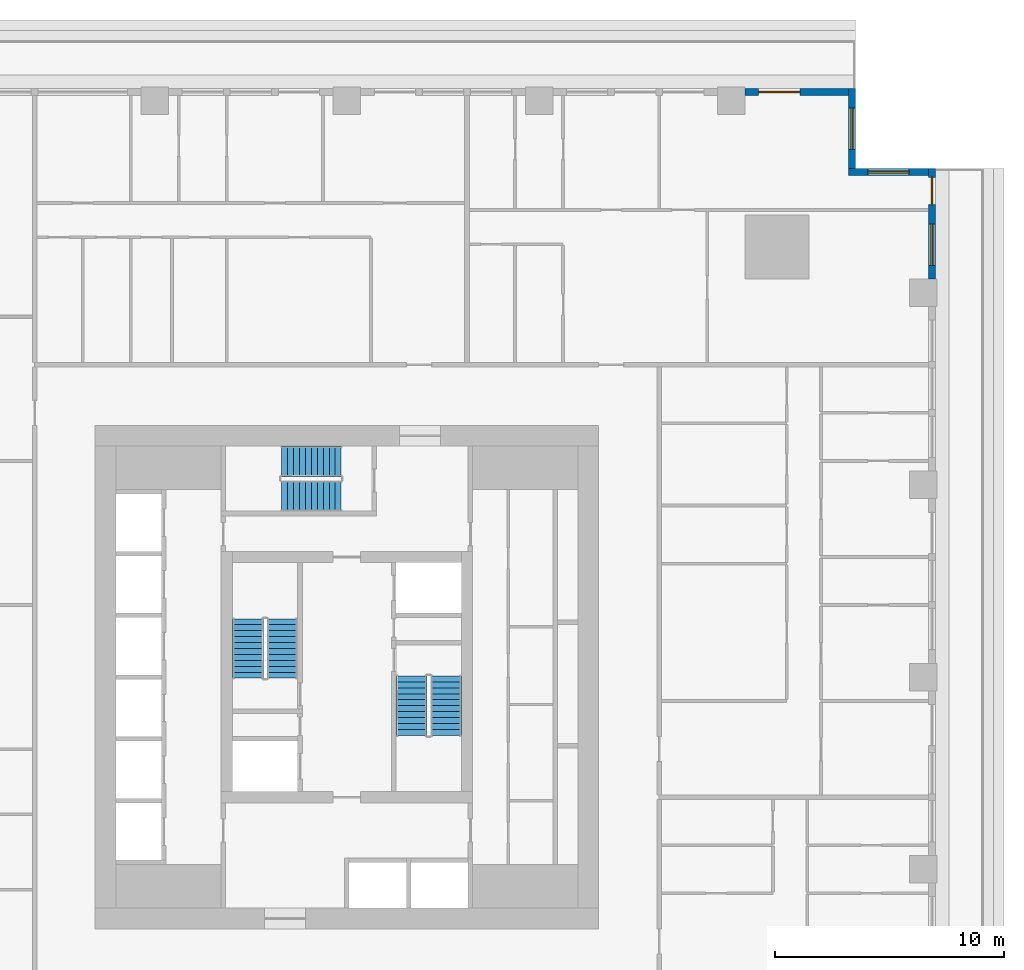
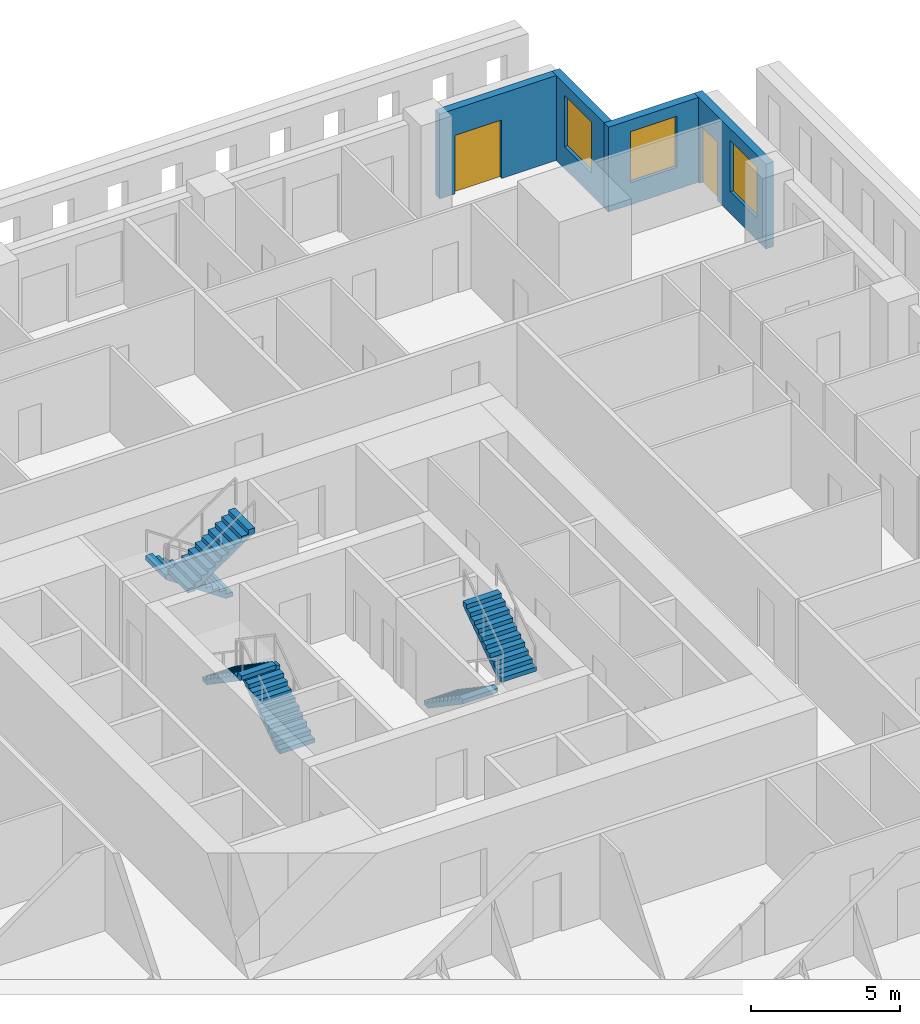
# One storey, part 10 of 15: 6 stair flights, 4 walls, 3 windows, 2 doors, 5 openings, 3 elements without a shape of their own.
"""IFC4 building model written with IfcOpenShell, lengths in metres."""

import ifcopenshell
import ifcopenshell.guid

model = None  # the IFC model being written
_history = None  # IfcOwnerHistory: only IFC2X3 demands one
_inside = {}  # id of a spatial element -> (the spatial element, [elements in it])
_under = {}  # id of a project, library or spatial element -> (it, [spatial elements below it])
_declared = {}  # id of a project -> (the project, [libraries it declares])
_typed = {}  # id of a type object -> (the type object, [elements of that type])
_made_of = {}  # id of a material, layer set ... -> (it, [elements and type objects made of it])


def new_model(schema):
    """Start an empty IFC model of exactly this schema.

    Asked for "IFC4X3", IfcOpenShell would pick the latest addendum, in which some entities
    have other attributes; the version numbers below select the first issue.
    IFC2X3 requires an IfcOwnerHistory on every rooted entity: one is made here for all.
    """
    global model, _history
    if schema == "IFC4X3":
        model = ifcopenshell.file(schema_version=(4, 3, 0, 0))
    else:
        model = ifcopenshell.file(schema=schema)
    _inside.clear()
    _under.clear()
    _declared.clear()
    _typed.clear()
    _made_of.clear()
    _history = None
    if model.schema == "IFC2X3":
        org = make("IfcOrganization", Name="unknown")
        user = make(
            "IfcPersonAndOrganization",
            ThePerson=make("IfcPerson", FamilyName="unknown"),
            TheOrganization=org,
        )
        app = make(
            "IfcApplication",
            ApplicationDeveloper=org,
            Version="unknown",
            ApplicationFullName="unknown",
            ApplicationIdentifier="unknown",
        )
        _history = make(
            "IfcOwnerHistory",
            OwningUser=user,
            OwningApplication=app,
            ChangeAction="ADDED",
            CreationDate=0,
        )
    return model


def make(cls, **values):
    """One entity of the class cls with the attributes given. An attribute that is None is left unset."""
    return model.create_entity(
        cls, **{name: value for name, value in values.items() if value is not None}
    )


def rooted(cls, **values):
    """An entity with a GlobalId (a new one), such as an element, a storey or a relation."""
    return make(cls, GlobalId=ifcopenshell.guid.new(), OwnerHistory=_history, **values)


def si_unit(unit_type, name, prefix=None):
    """IfcSIUnit, for example si_unit("LENGTHUNIT", "METRE", prefix="MILLI")."""
    return make("IfcSIUnit", UnitType=unit_type, Prefix=prefix, Name=name)


def assignment(units):
    """IfcUnitAssignment: the units of a project."""
    return None if units is None else make("IfcUnitAssignment", Units=units)


def point(xyz):
    """IfcCartesianPoint."""
    return None if xyz is None else make("IfcCartesianPoint", Coordinates=xyz)


def direction(xyz):
    """IfcDirection."""
    return None if xyz is None else make("IfcDirection", DirectionRatios=xyz)


def frame(location, z_axis=None, x_axis=None):
    """IfcAxis2Placement3D, a coordinate frame: its origin and axes. An axis left out is left unset."""
    return make(
        "IfcAxis2Placement3D",
        Location=point(location),
        Axis=direction(z_axis),
        RefDirection=direction(x_axis),
    )


def frame_2d(location, x_axis=None):
    """IfcAxis2Placement2D, a coordinate frame in the plane: its origin and x axis."""
    return make(
        "IfcAxis2Placement2D", Location=point(location), RefDirection=direction(x_axis)
    )


def origin():
    """The frame at (0, 0, 0) with its axes left unset."""
    return frame((0.0, 0.0, 0.0))


def place(relative_to, where):
    """IfcLocalPlacement: puts the frame where relative to a parent placement (None: the world)."""
    return make(
        "IfcLocalPlacement", PlacementRelTo=relative_to, RelativePlacement=where
    )


def context(
    kind, dimensions, precision=None, world=None, true_north=None, identifier=None
):
    """IfcGeometricRepresentationContext, for example the 3D "Model" context."""
    return make(
        "IfcGeometricRepresentationContext",
        ContextIdentifier=identifier,
        ContextType=kind,
        CoordinateSpaceDimension=dimensions,
        Precision=precision,
        WorldCoordinateSystem=world,
        TrueNorth=true_north,
    )


def subcontext(parent, identifier, kind, view, scale=None):
    """IfcGeometricRepresentationSubContext, for example "Body" below "Model"."""
    return make(
        "IfcGeometricRepresentationSubContext",
        ContextIdentifier=identifier,
        ContextType=kind,
        ParentContext=parent,
        TargetScale=scale,
        TargetView=view,
    )


def project(units=None, contexts=None):
    """IfcProject with its units and contexts."""
    return rooted(
        "IfcProject",
        Name="project",
        RepresentationContexts=contexts,
        UnitsInContext=assignment(units),
    )


def spatial(cls, under=None, at=None, **own):
    """A site, building, storey or space (cls), placed at a placement, below another one or the project."""
    s = rooted(cls, ObjectPlacement=at, **own)
    if under is not None:
        _under.setdefault(under.id(), (under, []))[1].append(s)
    return s


def polyline(points):
    """IfcPolyline through the points."""
    return make("IfcPolyline", Points=[point(p) for p in points])


def profile(cls, at=None, kind="AREA", **sizes):
    """A parametric profile (cls). Its sizes go by their IFC names, for example OverallWidth=200.0."""
    return make(cls, ProfileType=kind, Position=at, **sizes)


def rectangle(**sizes):
    """IfcRectangleProfileDef."""
    return profile("IfcRectangleProfileDef", **sizes)


def outline(outer, holes=None, kind="AREA"):
    """IfcArbitraryClosedProfileDef: a profile drawn as a closed curve; with holes, ...WithVoids."""
    if holes is None:
        return make("IfcArbitraryClosedProfileDef", ProfileType=kind, OuterCurve=outer)
    return make(
        "IfcArbitraryProfileDefWithVoids",
        ProfileType=kind,
        OuterCurve=outer,
        InnerCurves=holes,
    )


def extrude(swept, where, along, depth):
    """IfcExtrudedAreaSolid: the profile swept, set in the frame where, extruded along a direction by depth."""
    return make(
        "IfcExtrudedAreaSolid",
        SweptArea=swept,
        Position=where,
        ExtrudedDirection=direction(along),
        Depth=depth,
    )


def shape(context_of_items, identifier, shape_type, items):
    """IfcShapeRepresentation: the items that make up one representation, for example the "Body"."""
    return make(
        "IfcShapeRepresentation",
        ContextOfItems=context_of_items,
        RepresentationIdentifier=identifier,
        RepresentationType=shape_type,
        Items=items,
    )


def material(Name=None, Category=None):
    """IfcMaterial."""
    return make("IfcMaterial", Name=Name, Category=Category)


def layer(
    of_material, thickness, ventilated=None, Name=None, Category=None, Priority=None
):
    """IfcMaterialLayer: one layer of a wall or slab, of a material (None: an air gap)."""
    return make(
        "IfcMaterialLayer",
        Material=of_material,
        LayerThickness=thickness,
        IsVentilated=ventilated,
        Name=Name,
        Category=Category,
        Priority=Priority,
    )


def layer_set(layers, Name=None):
    """IfcMaterialLayerSet."""
    return make("IfcMaterialLayerSet", MaterialLayers=layers, LayerSetName=Name)


def made_of(thing, what):
    """Note that an element or type object is made of a material, layer set ...; save() writes the relation."""
    if what is not None:
        _made_of.setdefault(what.id(), (what, []))[1].append(thing)
    return thing


def type_object(cls, material=None, **own):
    """A type object (cls), such as IfcWallType, which elements share."""
    return made_of(rooted(cls, **own), material)


def element(
    cls,
    number,
    at=None,
    inside=None,
    cuts=None,
    type_object=None,
    material=None,
    context=None,
    identifier="Body",
    shape_type=None,
    held_by="IfcProductDefinitionShape",
    body=None,
    shapes=None,
    **own,
):
    """One element of the class cls, such as IfcWall. Its Tag is "e" and its number.

    at: its placement. inside: the storey or other place that contains it. cuts: it is an
    opening in that element (IfcRelVoidsElement). A single representation is given by context,
    identifier, shape_type and body (its items); several are given by shapes. held_by: the class
    of the entity that holds the representations. save() writes the other relations.
    """
    e = rooted(cls, Tag="e%d" % number, ObjectPlacement=at, **own)
    if body is not None:
        shapes = [shape(context, identifier, shape_type, body)]
    if shapes is not None:
        e.Representation = make(held_by, Representations=shapes)
    if inside is not None:
        _inside.setdefault(inside.id(), (inside, []))[1].append(e)
    if cuts is not None:
        rooted(
            "IfcRelVoidsElement", RelatingBuildingElement=cuts, RelatedOpeningElement=e
        )
    if type_object is not None:
        _typed.setdefault(type_object.id(), (type_object, []))[1].append(e)
    return made_of(e, material)


def fill(opening, filler):
    """IfcRelFillsElement: the door or window that sits in an opening."""
    return rooted(
        "IfcRelFillsElement",
        RelatingOpeningElement=opening,
        RelatedBuildingElement=filler,
    )


def aggregate(whole, parts):
    """IfcRelAggregates: a whole, such as a stair, and the parts it consists of."""
    return rooted("IfcRelAggregates", RelatingObject=whole, RelatedObjects=parts)


def save(model, path):
    """Write the relations noted so far, then the file.

    IfcRelAggregates (storeys below a building ...), IfcRelContainedInSpatialStructure (elements
    in a storey), IfcRelDefinesByType, IfcRelAssociatesMaterial and IfcRelDeclares: one each for
    every whole, place, type object, material and project.
    """
    for whole, parts in _under.values():
        aggregate(whole, parts)
    for where, things in _inside.values():
        rooted(
            "IfcRelContainedInSpatialStructure",
            RelatedElements=things,
            RelatingStructure=where,
        )
    for kind, things in _typed.values():
        rooted("IfcRelDefinesByType", RelatedObjects=things, RelatingType=kind)
    for what, things in _made_of.values():
        rooted("IfcRelAssociatesMaterial", RelatedObjects=things, RelatingMaterial=what)
    for by, libraries in _declared.values():
        rooted("IfcRelDeclares", RelatingContext=by, RelatedDefinitions=libraries)
    model.write(path)


model = new_model("IFC4")

# Units and contexts
model_context = context("Model", 3, precision=1e-05, world=origin(), true_north=direction((0.0, 1.0)))
body_context = subcontext(model_context, "Body", "Model", "MODEL_VIEW")
ifc_project = project(units=[si_unit("LENGTHUNIT", "METRE"), si_unit("AREAUNIT", "SQUARE_METRE"), si_unit("VOLUMEUNIT", "CUBIC_METRE"), si_unit("PLANEANGLEUNIT", "RADIAN"), si_unit("MASSUNIT", "GRAM", prefix="KILO")], contexts=[model_context])

# Site, building, storey
site_placement = place(None, origin())
site = spatial("IfcSite", under=ifc_project, at=site_placement, CompositionType="ELEMENT")
building_placement = place(site_placement, origin())
building = spatial("IfcBuilding", under=site, at=building_placement, Name="Khepri Terraces", CompositionType="ELEMENT")
storey_placement = place(building_placement, frame((0.0, 0.0, 94.800048828125)))
storey = spatial("IfcBuildingStorey", under=building, at=storey_placement, Name="L22", CompositionType="ELEMENT", Elevation=94.800048828125)

# Wall, openings, door, window
ifc_material_1 = material(Name="Precast concrete C50/60 warm stone", Category="masonry")
ifc_layer = layer(ifc_material_1, 0.300048828125, Name="Precast concrete C50/60 warm stone", Category="masonry")
ifc_layer_set = layer_set([ifc_layer], Name="Precast concrete C50/60 warm stone")
wall_type = type_object("IfcWallType", Name="WL-EXT-PRECAST-300", PredefinedType="STANDARD", material=ifc_layer_set)
wall_1_placement = place(storey_placement, frame((25.570068359375, 17.39990234375, 0.0), z_axis=(0.0, 0.0, 1.0), x_axis=(0.0, 1.0, 0.0)))
wall_1 = element("IfcWall", 1, at=wall_1_placement, inside=storey, type_object=wall_type, Name="External wall L22 E", PredefinedType="STANDARD", context=body_context, shape_type="SweptSolid", body=[
    extrude(rectangle(XDim=4.820068359375, YDim=0.300048828125, at=frame_2d((2.41015625, 0.0))), origin(), (0.0, 0.0, 1.0), 3.47998046875),
])
opening_1_placement = place(wall_1_placement, frame((0.60009765625, 0.0, 0.89990234375)))
opening_1 = element("IfcOpeningElement", 2, at=opening_1_placement, cuts=wall_1, Name="Opening W1", PredefinedType="OPENING", context=body_context, shape_type="SweptSolid", body=[
    extrude(rectangle(XDim=1.800048828125, YDim=2.10009765625, at=frame_2d((0.89990234375, 1.050048828125))), frame((0.0, 0.16015625, 0.0), z_axis=(0.0, -1.0, 0.0), x_axis=(1.0, 0.0, 0.0)), (0.0, 0.0, 1.0), 0.320068359375),
])
opening_2_placement = place(wall_1_placement, frame((3.2451171875, 0.0, 0.0)))
opening_2 = element("IfcOpeningElement", 3, at=opening_2_placement, cuts=wall_1, Name="Opening ED-L22-06", PredefinedType="OPENING", context=body_context, shape_type="SweptSolid", body=[
    extrude(rectangle(XDim=1.199951171875, YDim=2.39990234375, at=frame_2d((0.60009765625, 1.199951171875))), frame((0.0, 0.16015625, 0.0), z_axis=(0.0, -1.0, 0.0), x_axis=(1.0, 0.0, 0.0)), (0.0, 0.0, 1.0), 0.320068359375),
])
ifc_material_2 = material(Name="Anodised aluminium bronze glazed door", Category="aluminium")
door_type_1 = type_object("IfcDoorType", Name="DR-BAL-SLIDE-1200x2400", OperationType="NOTDEFINED", PredefinedType="DOOR", material=ifc_material_2)
door_1_placement = place(opening_2_placement, origin())
door_1 = element("IfcDoor", 4, at=door_1_placement, inside=storey, type_object=door_type_1, Name="Balcony door L22 E", OperationType="SLIDING_TO_RIGHT", OverallHeight=2.39990234375, OverallWidth=1.199951171875, PredefinedType="DOOR", context=body_context, shape_type="SweptSolid", body=[
    extrude(rectangle(XDim=1.199951171875, YDim=2.39990234375, at=frame_2d((0.60009765625, 1.199951171875))), frame((0.0, 0.02490234375, 0.0), z_axis=(0.0, -1.0, 0.0), x_axis=(1.0, 0.0, 0.0)), (0.0, 0.0, 1.0), 0.050048828125),
])
fill(opening_2, door_1)
ifc_material_3 = material(Name="Clear glass", Category="glass")
window_type = type_object("IfcWindowType", Name="WIN-RES-1800x2100", PartitioningType="SINGLE_PANEL", PredefinedType="WINDOW", material=ifc_material_3)
window_1_placement = place(opening_1_placement, origin())
window_1 = element("IfcWindow", 5, at=window_1_placement, inside=storey, type_object=window_type, Name="Window L22 E", OverallHeight=2.10009765625, OverallWidth=1.800048828125, PartitioningType="SINGLE_PANEL", PredefinedType="WINDOW", context=body_context, shape_type="SweptSolid", body=[
    extrude(rectangle(XDim=1.800048828125, YDim=2.10009765625, at=frame_2d((0.89990234375, 1.050048828125))), frame((0.0, 0.030029296875, 0.0), z_axis=(0.0, -1.0, 0.0), x_axis=(1.0, 0.0, 0.0)), (0.0, 0.0, 1.0), 0.06005859375),
])
fill(opening_1, window_1)

# Wall, opening, window
wall_2_placement = place(storey_placement, frame((25.419921875, 22.070068359375, 0.0), z_axis=(0.0, 0.0, 1.0), x_axis=(-1.0, 0.0, 0.0)))
wall_2 = element("IfcWall", 6, at=wall_2_placement, inside=storey, type_object=wall_type, Name="External wall L22 N", PredefinedType="STANDARD", context=body_context, shape_type="SweptSolid", body=[
    extrude(rectangle(XDim=3.5, YDim=0.300048828125, at=frame_2d((1.75, 0.0))), origin(), (0.0, 0.0, 1.0), 3.47998046875),
])
opening_3_placement = place(wall_2_placement, frame((0.85009765625, 0.0, 0.89990234375)))
opening_3 = element("IfcOpeningElement", 7, at=opening_3_placement, cuts=wall_2, Name="Opening W1", PredefinedType="OPENING", context=body_context, shape_type="SweptSolid", body=[
    extrude(rectangle(XDim=1.800048828125, YDim=2.10009765625, at=frame_2d((0.89990234375, 1.050048828125))), frame((0.0, 0.16015625, 0.0), z_axis=(0.0, -1.0, 0.0), x_axis=(1.0, 0.0, 0.0)), (0.0, 0.0, 1.0), 0.320068359375),
])
window_2_placement = place(opening_3_placement, origin())
window_2 = element("IfcWindow", 8, at=window_2_placement, inside=storey, type_object=window_type, Name="Window L22 N", OverallHeight=2.10009765625, OverallWidth=1.800048828125, PartitioningType="SINGLE_PANEL", PredefinedType="WINDOW", context=body_context, shape_type="SweptSolid", body=[
    extrude(rectangle(XDim=1.800048828125, YDim=2.10009765625, at=frame_2d((0.89990234375, 1.050048828125))), frame((0.0, 0.030029296875, 0.0), z_axis=(0.0, -1.0, 0.0), x_axis=(1.0, 0.0, 0.0)), (0.0, 0.0, 1.0), 0.06005859375),
])
fill(opening_3, window_2)

wall_3_placement = place(storey_placement, frame((22.070068359375, 22.219970703125, 0.0), z_axis=(0.0, 0.0, 1.0), x_axis=(0.0, 1.0, 0.0)))
wall_3 = element("IfcWall", 9, at=wall_3_placement, inside=storey, type_object=wall_type, Name="External wall L22 E", PredefinedType="STANDARD", context=body_context, shape_type="SweptSolid", body=[
    extrude(rectangle(XDim=3.5, YDim=0.300048828125, at=frame_2d((1.75, 0.0))), origin(), (0.0, 0.0, 1.0), 3.47998046875),
])
opening_4_placement = place(wall_3_placement, frame((0.85009765625, 0.0, 0.89990234375)))
opening_4 = element("IfcOpeningElement", 10, at=opening_4_placement, cuts=wall_3, Name="Opening W1", PredefinedType="OPENING", context=body_context, shape_type="SweptSolid", body=[
    extrude(rectangle(XDim=1.800048828125, YDim=2.10009765625, at=frame_2d((0.89990234375, 1.050048828125))), frame((0.0, 0.16015625, 0.0), z_axis=(0.0, -1.0, 0.0), x_axis=(1.0, 0.0, 0.0)), (0.0, 0.0, 1.0), 0.320068359375),
])
window_3_placement = place(opening_4_placement, origin())
window_3 = element("IfcWindow", 11, at=window_3_placement, inside=storey, type_object=window_type, Name="Window L22 E", OverallHeight=2.10009765625, OverallWidth=1.800048828125, PartitioningType="SINGLE_PANEL", PredefinedType="WINDOW", context=body_context, shape_type="SweptSolid", body=[
    extrude(rectangle(XDim=1.800048828125, YDim=2.10009765625, at=frame_2d((0.89990234375, 1.050048828125))), frame((0.0, 0.030029296875, 0.0), z_axis=(0.0, -1.0, 0.0), x_axis=(1.0, 0.0, 0.0)), (0.0, 0.0, 1.0), 0.06005859375),
])
fill(opening_4, window_3)

# Wall, opening, door
wall_4_placement = place(storey_placement, frame((21.919921875, 25.570068359375, 0.0), z_axis=(0.0, 0.0, 1.0), x_axis=(-1.0, 0.0, 0.0)))
wall_4 = element("IfcWall", 12, at=wall_4_placement, inside=storey, type_object=wall_type, Name="External wall L22 N", PredefinedType="STANDARD", context=body_context, shape_type="SweptSolid", body=[
    extrude(rectangle(XDim=4.52001953125, YDim=0.300048828125, at=frame_2d((2.260009765625, 0.0))), origin(), (0.0, 0.0, 1.0), 3.47998046875),
])
opening_5_placement = place(wall_4_placement, frame((2.1201171875, 0.0, 0.0)))
opening_5 = element("IfcOpeningElement", 13, at=opening_5_placement, cuts=wall_4, Name="Opening ED-L22-07", PredefinedType="OPENING", context=body_context, shape_type="SweptSolid", body=[
    extrude(rectangle(XDim=1.800048828125, YDim=2.39990234375, at=frame_2d((0.89990234375, 1.199951171875))), frame((0.0, 0.16015625, 0.0), z_axis=(0.0, -1.0, 0.0), x_axis=(1.0, 0.0, 0.0)), (0.0, 0.0, 1.0), 0.320068359375),
])
door_type_2 = type_object("IfcDoorType", Name="DR-BAL-SLIDE-1800x2400", OperationType="NOTDEFINED", PredefinedType="DOOR", material=ifc_material_2)
door_2_placement = place(opening_5_placement, origin())
door_2 = element("IfcDoor", 14, at=door_2_placement, inside=storey, type_object=door_type_2, Name="Balcony door L22 N", OperationType="SLIDING_TO_RIGHT", OverallHeight=2.39990234375, OverallWidth=1.800048828125, PredefinedType="DOOR", context=body_context, shape_type="SweptSolid", body=[
    extrude(rectangle(XDim=1.800048828125, YDim=2.39990234375, at=frame_2d((0.89990234375, 1.199951171875))), frame((0.0, 0.02490234375, 0.0), z_axis=(0.0, -1.0, 0.0), x_axis=(1.0, 0.0, 0.0)), (0.0, 0.0, 1.0), 0.050048828125),
])
fill(opening_5, door_2)

# Stair, stair flights
ifc_material_4 = material(Name="Concrete C40/50", Category="concrete")
stair_type = type_object("IfcStairType", Name="STAIR-RC-22R", PredefinedType="HALF_TURN_STAIR", material=ifc_material_4)
stair_1_placement = place(storey_placement, origin())
stair_1 = element("IfcStair", 15, at=stair_1_placement, inside=storey, type_object=stair_type, Name="L22 Exit Stair ST-1", PredefinedType="HALF_TURN_STAIR")
stair_flight_type = type_object("IfcStairFlightType", Name="SFL-RC-177.3", PredefinedType="STRAIGHT", material=ifc_material_4)
stair_flight_1_placement = place(storey_placement, frame((-2.824951171875, -0.050048828125, 0.0), z_axis=(0.0, 0.0, 1.0), x_axis=(0.0, 1.0, 0.0)))
stair_flight_1 = element("IfcStairFlight", 16, at=stair_flight_1_placement, type_object=stair_flight_type, Name="ST-1 flight 1", NumberOfRisers=11, NumberOfTreads=10, PredefinedType="STRAIGHT", RiserHeight=0.177272727, TreadLength=0.26, context=body_context, shape_type="SweptSolid", body=[
    extrude(outline(polyline([(0.0, 0.0), (0.0, 0.17724609375), (0.260009765625, 0.17724609375), (0.260009765625, 0.3544921875), (0.52001953125, 0.3544921875), (0.52001953125, 0.53173828125), (0.780029296875, 0.53173828125), (0.780029296875, 0.708984375), (1.0400390625, 0.708984375), (1.0400390625, 0.886474609375), (1.300048828125, 0.886474609375), (1.300048828125, 1.063720703125), (1.56005859375, 1.063720703125), (1.56005859375, 1.240966796875), (1.820068359375, 1.240966796875), (1.820068359375, 1.418212890625), (2.080078125, 1.418212890625), (2.080078125, 1.595458984375), (2.340087890625, 1.595458984375), (2.340087890625, 1.772705078125), (2.60009765625, 1.772705078125), (2.60009765625, 1.949951171875), (2.60009765625, 1.59130859375), (0.26611328125, 0.0), (0.0, 0.0)])), frame((0.0, 0.675048828125, 0.0), z_axis=(0.0, -1.0, 0.0), x_axis=(1.0, 0.0, 0.0)), (0.0, 0.0, 1.0), 1.35009765625),
])
stair_flight_2_placement = place(storey_placement, frame((-4.324951171875, 2.550048828125, 1.949951171875), z_axis=(0.0, 0.0, 1.0), x_axis=(0.0, -1.0, 0.0)))
stair_flight_2 = element("IfcStairFlight", 17, at=stair_flight_2_placement, type_object=stair_flight_type, Name="ST-1 flight 2", NumberOfRisers=11, NumberOfTreads=10, PredefinedType="STRAIGHT", RiserHeight=0.177272727, TreadLength=0.26, context=body_context, shape_type="SweptSolid", body=[
    extrude(outline(polyline([(0.0, 0.0), (0.0, 0.17724609375), (0.260009765625, 0.17724609375), (0.260009765625, 0.3544921875), (0.52001953125, 0.3544921875), (0.52001953125, 0.53173828125), (0.780029296875, 0.53173828125), (0.780029296875, 0.708984375), (1.0400390625, 0.708984375), (1.0400390625, 0.886474609375), (1.300048828125, 0.886474609375), (1.300048828125, 1.063720703125), (1.56005859375, 1.063720703125), (1.56005859375, 1.240966796875), (1.820068359375, 1.240966796875), (1.820068359375, 1.418212890625), (2.080078125, 1.418212890625), (2.080078125, 1.595458984375), (2.340087890625, 1.595458984375), (2.340087890625, 1.772705078125), (2.60009765625, 1.772705078125), (2.60009765625, 1.949951171875), (2.60009765625, 1.59130859375), (0.26611328125, 0.0), (0.0, 0.0)])), frame((0.0, 0.675048828125, 0.0), z_axis=(0.0, -1.0, 0.0), x_axis=(1.0, 0.0, 0.0)), (0.0, 0.0, 1.0), 1.35009765625),
])
aggregate(stair_1, [stair_flight_1, stair_flight_2])

stair_2_placement = place(storey_placement, origin())
stair_2 = element("IfcStair", 18, at=stair_2_placement, inside=storey, type_object=stair_type, Name="L22 Exit Stair ST-2", PredefinedType="HALF_TURN_STAIR")
stair_flight_3_placement = place(storey_placement, frame((2.824951171875, 0.050048828125, 0.0), z_axis=(0.0, 0.0, 1.0), x_axis=(0.0, -1.0, 0.0)))
stair_flight_3 = element("IfcStairFlight", 19, at=stair_flight_3_placement, type_object=stair_flight_type, Name="ST-2 flight 1", NumberOfRisers=11, NumberOfTreads=10, PredefinedType="STRAIGHT", RiserHeight=0.177272727, TreadLength=0.26, context=body_context, shape_type="SweptSolid", body=[
    extrude(outline(polyline([(0.0, 0.0), (0.0, 0.17724609375), (0.260009765625, 0.17724609375), (0.260009765625, 0.3544921875), (0.52001953125, 0.3544921875), (0.52001953125, 0.53173828125), (0.780029296875, 0.53173828125), (0.780029296875, 0.708984375), (1.0400390625, 0.708984375), (1.0400390625, 0.886474609375), (1.300048828125, 0.886474609375), (1.300048828125, 1.063720703125), (1.56005859375, 1.063720703125), (1.56005859375, 1.240966796875), (1.820068359375, 1.240966796875), (1.820068359375, 1.418212890625), (2.080078125, 1.418212890625), (2.080078125, 1.595458984375), (2.340087890625, 1.595458984375), (2.340087890625, 1.772705078125), (2.60009765625, 1.772705078125), (2.60009765625, 1.949951171875), (2.60009765625, 1.59130859375), (0.26611328125, 0.0), (0.0, 0.0)])), frame((0.0, 0.675048828125, 0.0), z_axis=(0.0, -1.0, 0.0), x_axis=(1.0, 0.0, 0.0)), (0.0, 0.0, 1.0), 1.35009765625),
])
stair_flight_4_placement = place(storey_placement, frame((4.324951171875, -2.550048828125, 1.949951171875), z_axis=(0.0, 0.0, 1.0), x_axis=(0.0, 1.0, 0.0)))
stair_flight_4 = element("IfcStairFlight", 20, at=stair_flight_4_placement, type_object=stair_flight_type, Name="ST-2 flight 2", NumberOfRisers=11, NumberOfTreads=10, PredefinedType="STRAIGHT", RiserHeight=0.177272727, TreadLength=0.26, context=body_context, shape_type="SweptSolid", body=[
    extrude(outline(polyline([(0.0, 0.0), (0.0, 0.17724609375), (0.260009765625, 0.17724609375), (0.260009765625, 0.3544921875), (0.52001953125, 0.3544921875), (0.52001953125, 0.53173828125), (0.780029296875, 0.53173828125), (0.780029296875, 0.708984375), (1.0400390625, 0.708984375), (1.0400390625, 0.886474609375), (1.300048828125, 0.886474609375), (1.300048828125, 1.063720703125), (1.56005859375, 1.063720703125), (1.56005859375, 1.240966796875), (1.820068359375, 1.240966796875), (1.820068359375, 1.418212890625), (2.080078125, 1.418212890625), (2.080078125, 1.595458984375), (2.340087890625, 1.595458984375), (2.340087890625, 1.772705078125), (2.60009765625, 1.772705078125), (2.60009765625, 1.949951171875), (2.60009765625, 1.59130859375), (0.26611328125, 0.0), (0.0, 0.0)])), frame((0.0, 0.675048828125, 0.0), z_axis=(0.0, -1.0, 0.0), x_axis=(1.0, 0.0, 0.0)), (0.0, 0.0, 1.0), 1.35009765625),
])
aggregate(stair_2, [stair_flight_3, stair_flight_4])

stair_3_placement = place(storey_placement, origin())
stair_3 = element("IfcStair", 21, at=stair_3_placement, inside=storey, type_object=stair_type, Name="L22 Exit Stair ST-3", PredefinedType="HALF_TURN_STAIR")
stair_flight_5_placement = place(storey_placement, frame((-0.25, 9.425048828125, 0.0), z_axis=(0.0, 0.0, 1.0), x_axis=(-1.0, 0.0, 0.0)))
stair_flight_5 = element("IfcStairFlight", 22, at=stair_flight_5_placement, type_object=stair_flight_type, Name="ST-3 flight 1", NumberOfRisers=11, NumberOfTreads=10, PredefinedType="STRAIGHT", RiserHeight=0.177272727, TreadLength=0.26, context=body_context, shape_type="SweptSolid", body=[
    extrude(outline(polyline([(0.0, 0.0), (0.0, 0.17724609375), (0.260009765625, 0.17724609375), (0.260009765625, 0.3544921875), (0.52001953125, 0.3544921875), (0.52001953125, 0.53173828125), (0.780029296875, 0.53173828125), (0.780029296875, 0.708984375), (1.0400390625, 0.708984375), (1.0400390625, 0.886474609375), (1.300048828125, 0.886474609375), (1.300048828125, 1.063720703125), (1.56005859375, 1.063720703125), (1.56005859375, 1.240966796875), (1.820068359375, 1.240966796875), (1.820068359375, 1.418212890625), (2.080078125, 1.418212890625), (2.080078125, 1.595458984375), (2.340087890625, 1.595458984375), (2.340087890625, 1.772705078125), (2.60009765625, 1.772705078125), (2.60009765625, 1.949951171875), (2.60009765625, 1.59130859375), (0.26611328125, 0.0), (0.0, 0.0)])), frame((0.0, 0.675048828125, 0.0), z_axis=(0.0, -1.0, 0.0), x_axis=(1.0, 0.0, 0.0)), (0.0, 0.0, 1.0), 1.35009765625),
])
stair_flight_6_placement = place(storey_placement, frame((-2.85009765625, 7.925048828125, 1.949951171875), z_axis=(0.0, 0.0, 1.0), x_axis=(1.0, 0.0, 0.0)))
stair_flight_6 = element("IfcStairFlight", 23, at=stair_flight_6_placement, type_object=stair_flight_type, Name="ST-3 flight 2", NumberOfRisers=11, NumberOfTreads=10, PredefinedType="STRAIGHT", RiserHeight=0.177272727, TreadLength=0.26, context=body_context, shape_type="SweptSolid", body=[
    extrude(outline(polyline([(0.0, 0.0), (0.0, 0.17724609375), (0.260009765625, 0.17724609375), (0.260009765625, 0.3544921875), (0.52001953125, 0.3544921875), (0.52001953125, 0.53173828125), (0.780029296875, 0.53173828125), (0.780029296875, 0.708984375), (1.0400390625, 0.708984375), (1.0400390625, 0.886474609375), (1.300048828125, 0.886474609375), (1.300048828125, 1.063720703125), (1.56005859375, 1.063720703125), (1.56005859375, 1.240966796875), (1.820068359375, 1.240966796875), (1.820068359375, 1.418212890625), (2.080078125, 1.418212890625), (2.080078125, 1.595458984375), (2.340087890625, 1.595458984375), (2.340087890625, 1.772705078125), (2.60009765625, 1.772705078125), (2.60009765625, 1.949951171875), (2.60009765625, 1.59130859375), (0.26611328125, 0.0), (0.0, 0.0)])), frame((0.0, 0.675048828125, 0.0), z_axis=(0.0, -1.0, 0.0), x_axis=(1.0, 0.0, 0.0)), (0.0, 0.0, 1.0), 1.35009765625),
])
aggregate(stair_3, [stair_flight_5, stair_flight_6])

save(model, "model.ifc")
